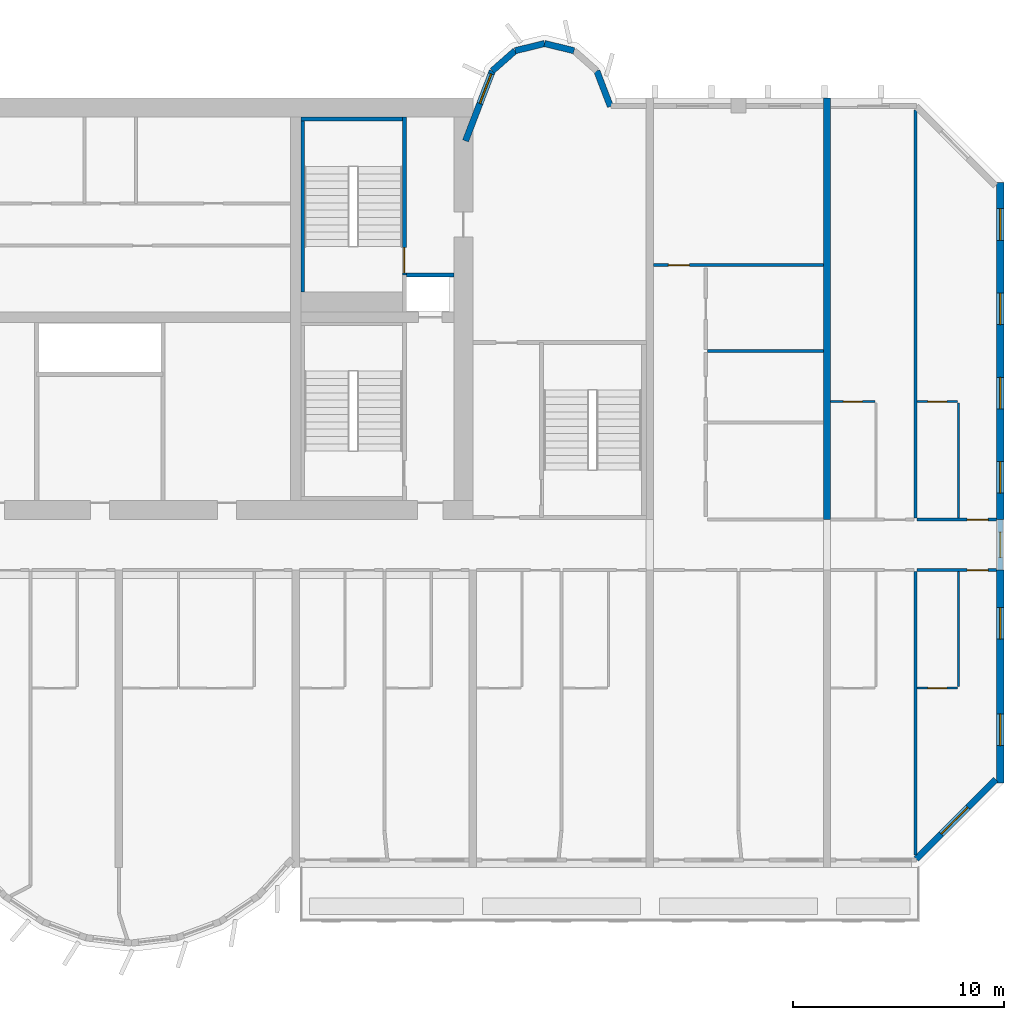
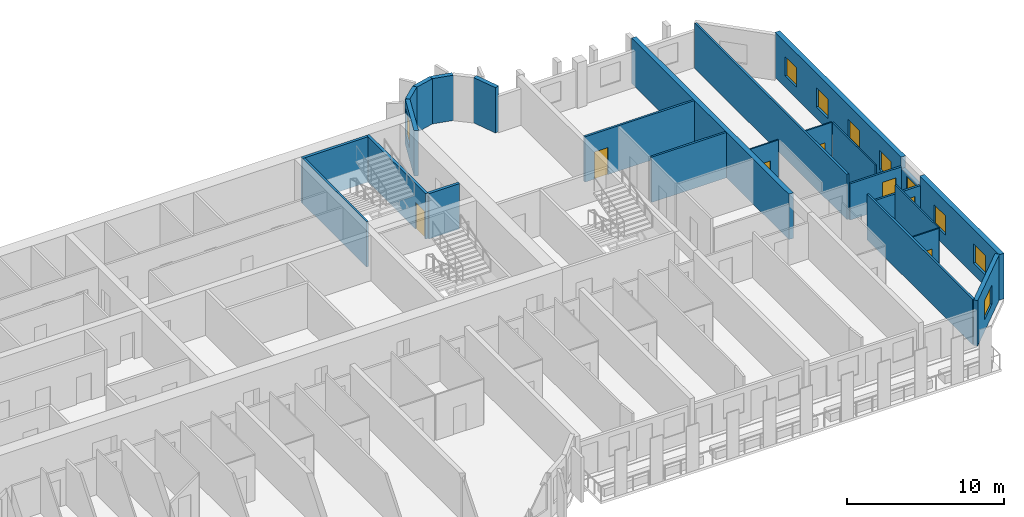
# One storey, part 10 of 14: 25 walls, 9 windows, 7 doors, 16 openings.
"""IFC4 building model written with IfcOpenShell, lengths in metres."""

import ifcopenshell
import ifcopenshell.guid

model = None  # the IFC model being written
_history = None  # IfcOwnerHistory: only IFC2X3 demands one
_inside = {}  # id of a spatial element -> (the spatial element, [elements in it])
_under = {}  # id of a project, library or spatial element -> (it, [spatial elements below it])
_declared = {}  # id of a project -> (the project, [libraries it declares])
_typed = {}  # id of a type object -> (the type object, [elements of that type])
_made_of = {}  # id of a material, layer set ... -> (it, [elements and type objects made of it])


def new_model(schema):
    """Start an empty IFC model of exactly this schema.

    Asked for "IFC4X3", IfcOpenShell would pick the latest addendum, in which some entities
    have other attributes; the version numbers below select the first issue.
    IFC2X3 requires an IfcOwnerHistory on every rooted entity: one is made here for all.
    """
    global model, _history
    if schema == "IFC4X3":
        model = ifcopenshell.file(schema_version=(4, 3, 0, 0))
    else:
        model = ifcopenshell.file(schema=schema)
    _inside.clear()
    _under.clear()
    _declared.clear()
    _typed.clear()
    _made_of.clear()
    _history = None
    if model.schema == "IFC2X3":
        org = make("IfcOrganization", Name="unknown")
        user = make(
            "IfcPersonAndOrganization",
            ThePerson=make("IfcPerson", FamilyName="unknown"),
            TheOrganization=org,
        )
        app = make(
            "IfcApplication",
            ApplicationDeveloper=org,
            Version="unknown",
            ApplicationFullName="unknown",
            ApplicationIdentifier="unknown",
        )
        _history = make(
            "IfcOwnerHistory",
            OwningUser=user,
            OwningApplication=app,
            ChangeAction="ADDED",
            CreationDate=0,
        )
    return model


def make(cls, **values):
    """One entity of the class cls with the attributes given. An attribute that is None is left unset."""
    return model.create_entity(
        cls, **{name: value for name, value in values.items() if value is not None}
    )


def rooted(cls, **values):
    """An entity with a GlobalId (a new one), such as an element, a storey or a relation."""
    return make(cls, GlobalId=ifcopenshell.guid.new(), OwnerHistory=_history, **values)


def si_unit(unit_type, name, prefix=None):
    """IfcSIUnit, for example si_unit("LENGTHUNIT", "METRE", prefix="MILLI")."""
    return make("IfcSIUnit", UnitType=unit_type, Prefix=prefix, Name=name)


def assignment(units):
    """IfcUnitAssignment: the units of a project."""
    return None if units is None else make("IfcUnitAssignment", Units=units)


def point(xyz):
    """IfcCartesianPoint."""
    return None if xyz is None else make("IfcCartesianPoint", Coordinates=xyz)


def direction(xyz):
    """IfcDirection."""
    return None if xyz is None else make("IfcDirection", DirectionRatios=xyz)


def frame(location, z_axis=None, x_axis=None):
    """IfcAxis2Placement3D, a coordinate frame: its origin and axes. An axis left out is left unset."""
    return make(
        "IfcAxis2Placement3D",
        Location=point(location),
        Axis=direction(z_axis),
        RefDirection=direction(x_axis),
    )


def frame_2d(location, x_axis=None):
    """IfcAxis2Placement2D, a coordinate frame in the plane: its origin and x axis."""
    return make(
        "IfcAxis2Placement2D", Location=point(location), RefDirection=direction(x_axis)
    )


def origin():
    """The frame at (0, 0, 0) with its axes left unset."""
    return frame((0.0, 0.0, 0.0))


def place(relative_to, where):
    """IfcLocalPlacement: puts the frame where relative to a parent placement (None: the world)."""
    return make(
        "IfcLocalPlacement", PlacementRelTo=relative_to, RelativePlacement=where
    )


def context(
    kind, dimensions, precision=None, world=None, true_north=None, identifier=None
):
    """IfcGeometricRepresentationContext, for example the 3D "Model" context."""
    return make(
        "IfcGeometricRepresentationContext",
        ContextIdentifier=identifier,
        ContextType=kind,
        CoordinateSpaceDimension=dimensions,
        Precision=precision,
        WorldCoordinateSystem=world,
        TrueNorth=true_north,
    )


def subcontext(parent, identifier, kind, view, scale=None):
    """IfcGeometricRepresentationSubContext, for example "Body" below "Model"."""
    return make(
        "IfcGeometricRepresentationSubContext",
        ContextIdentifier=identifier,
        ContextType=kind,
        ParentContext=parent,
        TargetScale=scale,
        TargetView=view,
    )


def project(units=None, contexts=None):
    """IfcProject with its units and contexts."""
    return rooted(
        "IfcProject",
        Name="project",
        RepresentationContexts=contexts,
        UnitsInContext=assignment(units),
    )


def spatial(cls, under=None, at=None, **own):
    """A site, building, storey or space (cls), placed at a placement, below another one or the project."""
    s = rooted(cls, ObjectPlacement=at, **own)
    if under is not None:
        _under.setdefault(under.id(), (under, []))[1].append(s)
    return s


def profile(cls, at=None, kind="AREA", **sizes):
    """A parametric profile (cls). Its sizes go by their IFC names, for example OverallWidth=200.0."""
    return make(cls, ProfileType=kind, Position=at, **sizes)


def rectangle(**sizes):
    """IfcRectangleProfileDef."""
    return profile("IfcRectangleProfileDef", **sizes)


def extrude(swept, where, along, depth):
    """IfcExtrudedAreaSolid: the profile swept, set in the frame where, extruded along a direction by depth."""
    return make(
        "IfcExtrudedAreaSolid",
        SweptArea=swept,
        Position=where,
        ExtrudedDirection=direction(along),
        Depth=depth,
    )


def shape(context_of_items, identifier, shape_type, items):
    """IfcShapeRepresentation: the items that make up one representation, for example the "Body"."""
    return make(
        "IfcShapeRepresentation",
        ContextOfItems=context_of_items,
        RepresentationIdentifier=identifier,
        RepresentationType=shape_type,
        Items=items,
    )


def source(mapping_origin, context_of_items, identifier, shape_type, items):
    """IfcRepresentationMap: a shape defined once, which mapped items show again and again."""
    return make(
        "IfcRepresentationMap",
        MappingOrigin=mapping_origin,
        MappedRepresentation=shape(context_of_items, identifier, shape_type, items),
    )


def transform(
    local_origin,
    x_axis=None,
    y_axis=None,
    z_axis=None,
    scale=None,
    scale2=None,
    scale3=None,
    uniform=True,
):
    """IfcCartesianTransformationOperator3D, or its non-uniform kind. x_axis, y_axis, z_axis: its Axis1, 2, 3."""
    if uniform:
        return make(
            "IfcCartesianTransformationOperator3D",
            Axis1=direction(x_axis),
            Axis2=direction(y_axis),
            LocalOrigin=point(local_origin),
            Scale=scale,
            Axis3=direction(z_axis),
        )
    return make(
        "IfcCartesianTransformationOperator3DnonUniform",
        Axis1=direction(x_axis),
        Axis2=direction(y_axis),
        LocalOrigin=point(local_origin),
        Scale=scale,
        Axis3=direction(z_axis),
        Scale2=scale2,
        Scale3=scale3,
    )


def mapped(mapping_source, mapping_target):
    """IfcMappedItem: shows the shape of a source again, moved by a transform."""
    return make(
        "IfcMappedItem", MappingSource=mapping_source, MappingTarget=mapping_target
    )


def material(Name=None, Category=None):
    """IfcMaterial."""
    return make("IfcMaterial", Name=Name, Category=Category)


def layer(
    of_material, thickness, ventilated=None, Name=None, Category=None, Priority=None
):
    """IfcMaterialLayer: one layer of a wall or slab, of a material (None: an air gap)."""
    return make(
        "IfcMaterialLayer",
        Material=of_material,
        LayerThickness=thickness,
        IsVentilated=ventilated,
        Name=Name,
        Category=Category,
        Priority=Priority,
    )


def layer_set(layers, Name=None):
    """IfcMaterialLayerSet."""
    return make("IfcMaterialLayerSet", MaterialLayers=layers, LayerSetName=Name)


def made_of(thing, what):
    """Note that an element or type object is made of a material, layer set ...; save() writes the relation."""
    if what is not None:
        _made_of.setdefault(what.id(), (what, []))[1].append(thing)
    return thing


def type_object(cls, material=None, **own):
    """A type object (cls), such as IfcWallType, which elements share."""
    return made_of(rooted(cls, **own), material)


def element(
    cls,
    number,
    at=None,
    inside=None,
    cuts=None,
    type_object=None,
    material=None,
    context=None,
    identifier="Body",
    shape_type=None,
    held_by="IfcProductDefinitionShape",
    body=None,
    shapes=None,
    **own,
):
    """One element of the class cls, such as IfcWall. Its Tag is "e" and its number.

    at: its placement. inside: the storey or other place that contains it. cuts: it is an
    opening in that element (IfcRelVoidsElement). A single representation is given by context,
    identifier, shape_type and body (its items); several are given by shapes. held_by: the class
    of the entity that holds the representations. save() writes the other relations.
    """
    e = rooted(cls, Tag="e%d" % number, ObjectPlacement=at, **own)
    if body is not None:
        shapes = [shape(context, identifier, shape_type, body)]
    if shapes is not None:
        e.Representation = make(held_by, Representations=shapes)
    if inside is not None:
        _inside.setdefault(inside.id(), (inside, []))[1].append(e)
    if cuts is not None:
        rooted(
            "IfcRelVoidsElement", RelatingBuildingElement=cuts, RelatedOpeningElement=e
        )
    if type_object is not None:
        _typed.setdefault(type_object.id(), (type_object, []))[1].append(e)
    return made_of(e, material)


def fill(opening, filler):
    """IfcRelFillsElement: the door or window that sits in an opening."""
    return rooted(
        "IfcRelFillsElement",
        RelatingOpeningElement=opening,
        RelatedBuildingElement=filler,
    )


def aggregate(whole, parts):
    """IfcRelAggregates: a whole, such as a stair, and the parts it consists of."""
    return rooted("IfcRelAggregates", RelatingObject=whole, RelatedObjects=parts)


def save(model, path):
    """Write the relations noted so far, then the file.

    IfcRelAggregates (storeys below a building ...), IfcRelContainedInSpatialStructure (elements
    in a storey), IfcRelDefinesByType, IfcRelAssociatesMaterial and IfcRelDeclares: one each for
    every whole, place, type object, material and project.
    """
    for whole, parts in _under.values():
        aggregate(whole, parts)
    for where, things in _inside.values():
        rooted(
            "IfcRelContainedInSpatialStructure",
            RelatedElements=things,
            RelatingStructure=where,
        )
    for kind, things in _typed.values():
        rooted("IfcRelDefinesByType", RelatedObjects=things, RelatingType=kind)
    for what, things in _made_of.values():
        rooted("IfcRelAssociatesMaterial", RelatedObjects=things, RelatingMaterial=what)
    for by, libraries in _declared.values():
        rooted("IfcRelDeclares", RelatingContext=by, RelatedDefinitions=libraries)
    model.write(path)


model = new_model("IFC4")

# Units and contexts
model_context = context("Model", 3, precision=1e-05, world=origin(), true_north=direction((0.0, 1.0)))
body_context = subcontext(model_context, "Body", "Model", "MODEL_VIEW")
ifc_project = project(units=[si_unit("LENGTHUNIT", "METRE"), si_unit("AREAUNIT", "SQUARE_METRE"), si_unit("VOLUMEUNIT", "CUBIC_METRE"), si_unit("PLANEANGLEUNIT", "RADIAN"), si_unit("MASSUNIT", "GRAM", prefix="KILO")], contexts=[model_context])

# Site, building, storey
site_placement = place(None, origin())
site = spatial("IfcSite", under=ifc_project, at=site_placement, CompositionType="ELEMENT")
building_placement = place(site_placement, origin())
building = spatial("IfcBuilding", under=site, at=building_placement, Name="Vanashikhar Sky Hotel", CompositionType="ELEMENT")
storey_placement = place(building_placement, frame((0.0, 0.0, 99.0)))
storey = spatial("IfcBuildingStorey", under=building, at=storey_placement, Name="L23", CompositionType="ELEMENT", Elevation=99.0)

# Wall, openings, windows
ifc_material_1 = material(Name="Concrete M70", Category="concrete")
ifc_layer_1 = layer(ifc_material_1, 0.35009765625)
ifc_layer_set_1 = layer_set([ifc_layer_1], Name="RC shear wall 350 Concrete M70")
wall_type_1 = type_object("IfcWallType", Name="RC shear wall 350 Concrete M70", PredefinedType="SHEAR", material=ifc_layer_set_1)
shared_shape_1 = source(origin(), body_context, "Body", "SweptSolid", [
    extrude(rectangle(XDim=10.10009765625, YDim=0.35009765625, at=frame_2d((5.050048828125, 0.0))), origin(), (0.0, 0.0, 1.0), 3.52001953125),
])
wall_1_placement = place(storey_placement, frame((100.625, 9.5, 0.0), z_axis=(0.0, 0.0, 1.0), x_axis=(0.0, 1.0, 0.0)))
wall_1 = element("IfcWall", 1, at=wall_1_placement, inside=storey, type_object=wall_type_1, Name="CW-L23-XW13-1", PredefinedType="SHEAR", context=body_context, shape_type="MappedRepresentation", body=[
    mapped(shared_shape_1, transform((0.0, 0.0, 0.0), scale=1.0)),
])
shared_shape_2 = source(origin(), body_context, "Body", "SweptSolid", [
    extrude(rectangle(XDim=1.5, YDim=1.5, at=frame_2d((0.75, 0.75))), frame((0.0, 0.18505859375, 0.0), z_axis=(0.0, -1.0, 0.0), x_axis=(1.0, 0.0, 0.0)), (0.0, 0.0, 1.0), 0.3701171875),
])
opening_1_placement = place(wall_1_placement, frame((1.77490234375, 0.0, 0.89990234375)))
opening_1 = element("IfcOpeningElement", 2, at=opening_1_placement, cuts=wall_1, Name="Opening WN-1", PredefinedType="OPENING", context=body_context, shape_type="MappedRepresentation", body=[
    mapped(shared_shape_2, transform((0.0, 0.0, 0.0), scale=1.0)),
])
opening_2_placement = place(wall_1_placement, frame((6.824951171875, 0.0, 0.89990234375)))
opening_2 = element("IfcOpeningElement", 3, at=opening_2_placement, cuts=wall_1, Name="Opening WN-1", PredefinedType="OPENING", context=body_context, shape_type="MappedRepresentation", body=[
    mapped(shared_shape_2, transform((0.0, 0.0, 0.0), scale=1.0)),
])
ifc_material_2 = material(Name="Glass", Category="glass")
window_type_1 = type_object("IfcWindowType", Name="Window 1500 x 1500", PartitioningType="SINGLE_PANEL", PredefinedType="WINDOW", material=ifc_material_2)
shared_shape_3 = source(origin(), body_context, "Body", "SweptSolid", [
    extrude(rectangle(XDim=1.5, YDim=1.5, at=frame_2d((0.75, 0.75))), frame((0.0, 0.030029296875, 0.0), z_axis=(0.0, -1.0, 0.0), x_axis=(1.0, 0.0, 0.0)), (0.0, 0.0, 1.0), 0.06005859375),
])
window_1_placement = place(opening_1_placement, origin())
window_1 = element("IfcWindow", 4, at=window_1_placement, inside=storey, type_object=window_type_1, Name="Window WN-1", OverallHeight=1.5, OverallWidth=1.5, PartitioningType="SINGLE_PANEL", PredefinedType="WINDOW", context=body_context, shape_type="MappedRepresentation", body=[
    mapped(shared_shape_3, transform((0.0, 0.0, 0.0), scale=1.0)),
])
fill(opening_1, window_1)
window_2_placement = place(opening_2_placement, origin())
window_2 = element("IfcWindow", 5, at=window_2_placement, inside=storey, type_object=window_type_1, Name="Window WN-1", OverallHeight=1.5, OverallWidth=1.5, PartitioningType="SINGLE_PANEL", PredefinedType="WINDOW", context=body_context, shape_type="MappedRepresentation", body=[
    mapped(shared_shape_3, transform((0.0, 0.0, 0.0), scale=1.0)),
])
fill(opening_2, window_2)

shared_shape_4 = source(origin(), body_context, "Body", "SweptSolid", [
    extrude(rectangle(XDim=16.0, YDim=0.35009765625, at=frame_2d((8.0, 0.0))), origin(), (0.0, 0.0, 1.0), 3.52001953125),
])
wall_2_placement = place(storey_placement, frame((100.625, 22.0, 0.0), z_axis=(0.0, 0.0, 1.0), x_axis=(0.0, 1.0, 0.0)))
wall_2 = element("IfcWall", 6, at=wall_2_placement, inside=storey, type_object=wall_type_1, Name="CW-L23-XW13-2", PredefinedType="SHEAR", context=body_context, shape_type="MappedRepresentation", body=[
    mapped(shared_shape_4, transform((0.0, 0.0, 0.0), scale=1.0)),
])
opening_3_placement = place(wall_2_placement, frame((1.25, 0.0, 0.89990234375)))
opening_3 = element("IfcOpeningElement", 7, at=opening_3_placement, cuts=wall_2, Name="Opening WN-1", PredefinedType="OPENING", context=body_context, shape_type="MappedRepresentation", body=[
    mapped(shared_shape_2, transform((0.0, 0.0, 0.0), scale=1.0)),
])
opening_4_placement = place(wall_2_placement, frame((5.25, 0.0, 0.89990234375)))
opening_4 = element("IfcOpeningElement", 8, at=opening_4_placement, cuts=wall_2, Name="Opening WN-1", PredefinedType="OPENING", context=body_context, shape_type="MappedRepresentation", body=[
    mapped(shared_shape_2, transform((0.0, 0.0, 0.0), scale=1.0)),
])
opening_5_placement = place(wall_2_placement, frame((9.25, 0.0, 0.89990234375)))
opening_5 = element("IfcOpeningElement", 9, at=opening_5_placement, cuts=wall_2, Name="Opening WN-1", PredefinedType="OPENING", context=body_context, shape_type="MappedRepresentation", body=[
    mapped(shared_shape_2, transform((0.0, 0.0, 0.0), scale=1.0)),
])
opening_6_placement = place(wall_2_placement, frame((13.25, 0.0, 0.89990234375)))
opening_6 = element("IfcOpeningElement", 10, at=opening_6_placement, cuts=wall_2, Name="Opening WN-1", PredefinedType="OPENING", context=body_context, shape_type="MappedRepresentation", body=[
    mapped(shared_shape_2, transform((0.0, 0.0, 0.0), scale=1.0)),
])
window_3_placement = place(opening_3_placement, origin())
window_3 = element("IfcWindow", 11, at=window_3_placement, inside=storey, type_object=window_type_1, Name="Window WN-1", OverallHeight=1.5, OverallWidth=1.5, PartitioningType="SINGLE_PANEL", PredefinedType="WINDOW", context=body_context, shape_type="MappedRepresentation", body=[
    mapped(shared_shape_3, transform((0.0, 0.0, 0.0), scale=1.0)),
])
fill(opening_3, window_3)
window_4_placement = place(opening_4_placement, origin())
window_4 = element("IfcWindow", 12, at=window_4_placement, inside=storey, type_object=window_type_1, Name="Window WN-1", OverallHeight=1.5, OverallWidth=1.5, PartitioningType="SINGLE_PANEL", PredefinedType="WINDOW", context=body_context, shape_type="MappedRepresentation", body=[
    mapped(shared_shape_3, transform((0.0, 0.0, 0.0), scale=1.0)),
])
fill(opening_4, window_4)
window_5_placement = place(opening_5_placement, origin())
window_5 = element("IfcWindow", 13, at=window_5_placement, inside=storey, type_object=window_type_1, Name="Window WN-1", OverallHeight=1.5, OverallWidth=1.5, PartitioningType="SINGLE_PANEL", PredefinedType="WINDOW", context=body_context, shape_type="MappedRepresentation", body=[
    mapped(shared_shape_3, transform((0.0, 0.0, 0.0), scale=1.0)),
])
fill(opening_5, window_5)
window_6_placement = place(opening_6_placement, origin())
window_6 = element("IfcWindow", 14, at=window_6_placement, inside=storey, type_object=window_type_1, Name="Window WN-1", OverallHeight=1.5, OverallWidth=1.5, PartitioningType="SINGLE_PANEL", PredefinedType="WINDOW", context=body_context, shape_type="MappedRepresentation", body=[
    mapped(shared_shape_3, transform((0.0, 0.0, 0.0), scale=1.0)),
])
fill(opening_6, window_6)

# Wall
shared_shape_5 = source(origin(), body_context, "Body", "SweptSolid", [
    extrude(rectangle(XDim=20.0, YDim=0.35009765625, at=frame_2d((10.0, 0.0))), origin(), (0.0, 0.0, 1.0), 3.52001953125),
])
wall_3_placement = place(storey_placement, frame((92.39990234375, 22.0, 0.0), z_axis=(0.0, 0.0, 1.0), x_axis=(0.0, 1.0, 0.0)))
element("IfcWall", 15, at=wall_3_placement, inside=storey, type_object=wall_type_1, Name="CW-L23-XW12-2", PredefinedType="SHEAR", context=body_context, shape_type="MappedRepresentation", body=[
    mapped(shared_shape_5, transform((0.0, 0.0, 0.0), scale=1.0)),
])

# Wall, opening, window
ifc_material_3 = material(Name="Concrete M50", Category="concrete")
ifc_layer_2 = layer(ifc_material_3, 0.300048828125)
ifc_layer_set_2 = layer_set([ifc_layer_2], Name="Lobe wall 300")
wall_type_2 = type_object("IfcWallType", Name="Lobe wall 300", PredefinedType="SOLIDWALL", material=ifc_layer_set_2)
shared_shape_6 = source(origin(), body_context, "Body", "SweptSolid", [
    extrude(rectangle(XDim=5.32568359375, YDim=0.300048828125, at=frame_2d((2.662841796875, 0.0))), origin(), (0.0, 0.0, 1.0), 3.52001953125),
])
wall_4_placement = place(storey_placement, frame((96.63427734375, 5.89990234375, 0.0), z_axis=(0.0, 0.0, 1.0), x_axis=(0.707083859269, 0.707129702361, 0.0)))
wall_4 = element("IfcWall", 16, at=wall_4_placement, inside=storey, type_object=wall_type_2, Name="Corner wall", PredefinedType="SOLIDWALL", context=body_context, shape_type="MappedRepresentation", body=[
    mapped(shared_shape_6, transform((0.0, 0.0, 0.0), scale=1.0)),
])
shared_shape_7 = source(origin(), body_context, "Body", "SweptSolid", [
    extrude(rectangle(XDim=1.800048828125, YDim=1.5, at=frame_2d((0.89990234375, 0.75))), frame((0.0, 0.16015625, 0.0), z_axis=(0.0, -1.0, 0.0), x_axis=(1.0, 0.0, 0.0)), (0.0, 0.0, 1.0), 0.320068359375),
])
opening_7_placement = place(wall_4_placement, frame((1.671875, 0.0, 0.89990234375)))
opening_7 = element("IfcOpeningElement", 17, at=opening_7_placement, cuts=wall_4, Name="Opening WN-4", PredefinedType="OPENING", context=body_context, shape_type="MappedRepresentation", body=[
    mapped(shared_shape_7, transform((0.0, 0.0, 0.0), scale=1.0)),
])
window_type_2 = type_object("IfcWindowType", Name="Corner window 1800 x 1500", PartitioningType="SINGLE_PANEL", PredefinedType="WINDOW", material=ifc_material_2)
shared_shape_8 = source(origin(), body_context, "Body", "SweptSolid", [
    extrude(rectangle(XDim=1.800048828125, YDim=1.5, at=frame_2d((0.89990234375, 0.75))), frame((0.0, 0.030029296875, 0.0), z_axis=(0.0, -1.0, 0.0), x_axis=(1.0, 0.0, 0.0)), (0.0, 0.0, 1.0), 0.06005859375),
])
window_7_placement = place(opening_7_placement, origin())
window_7 = element("IfcWindow", 18, at=window_7_placement, inside=storey, type_object=window_type_2, Name="Window WN-4", OverallHeight=1.5, OverallWidth=1.800048828125, PartitioningType="SINGLE_PANEL", PredefinedType="WINDOW", context=body_context, shape_type="MappedRepresentation", body=[
    mapped(shared_shape_8, transform((0.0, 0.0, 0.0), scale=1.0)),
])
fill(opening_7, window_7)

shared_shape_9 = source(origin(), body_context, "Body", "SweptSolid", [
    extrude(rectangle(XDim=3.55908203125, YDim=0.300048828125, at=frame_2d((1.779541015625, 0.0))), origin(), (0.0, 0.0, 1.0), 3.52001953125),
])
wall_5_placement = place(storey_placement, frame((76.5234375, 43.2919921875, 0.0), z_axis=(0.0, 0.0, 1.0), x_axis=(-0.35779745313, -0.933799219604, 0.0)))
wall_5 = element("IfcWall", 19, at=wall_5_placement, inside=storey, type_object=wall_type_2, Name="Lobe wall", PredefinedType="SOLIDWALL", context=body_context, shape_type="MappedRepresentation", body=[
    mapped(shared_shape_9, transform((0.0, 0.0, 0.0), scale=1.0)),
])
shared_shape_10 = source(origin(), body_context, "Body", "SweptSolid", [
    extrude(rectangle(XDim=1.5, YDim=2.0, at=frame_2d((0.75, 1.0))), frame((0.0, 0.16015625, 0.0), z_axis=(0.0, -1.0, 0.0), x_axis=(1.0, 0.0, 0.0)), (0.0, 0.0, 1.0), 0.320068359375),
])
opening_8_placement = place(wall_5_placement, frame((0.156005859375, 0.0, 0.89990234375)))
opening_8 = element("IfcOpeningElement", 20, at=opening_8_placement, cuts=wall_5, Name="Opening WN-2", PredefinedType="OPENING", context=body_context, shape_type="MappedRepresentation", body=[
    mapped(shared_shape_10, transform((0.0, 0.0, 0.0), scale=1.0)),
])
window_type_3 = type_object("IfcWindowType", Name="Lobe window 1500 x 2000", PartitioningType="SINGLE_PANEL", PredefinedType="WINDOW", material=ifc_material_2)
shared_shape_11 = source(origin(), body_context, "Body", "SweptSolid", [
    extrude(rectangle(XDim=1.5, YDim=2.0, at=frame_2d((0.75, 1.0))), frame((0.0, 0.030029296875, 0.0), z_axis=(0.0, -1.0, 0.0), x_axis=(1.0, 0.0, 0.0)), (0.0, 0.0, 1.0), 0.06005859375),
])
window_8_placement = place(opening_8_placement, origin())
window_8 = element("IfcWindow", 21, at=window_8_placement, inside=storey, type_object=window_type_3, Name="Window WN-2", OverallHeight=2.0, OverallWidth=1.5, PartitioningType="SINGLE_PANEL", PredefinedType="WINDOW", context=body_context, shape_type="MappedRepresentation", body=[
    mapped(shared_shape_11, transform((0.0, 0.0, 0.0), scale=1.0)),
])
fill(opening_8, window_8)

# Walls
shared_shape_12 = source(origin(), body_context, "Body", "SweptSolid", [
    extrude(rectangle(XDim=1.438720703125, YDim=0.300048828125, at=frame_2d((0.71923828125, 0.0))), origin(), (0.0, 0.0, 1.0), 3.52001953125),
])
for number, where, z_axis, x_axis, name in (
    (22, (80.397216796875, 44.2451171875, 0.0), (0.0, 0.0, 1.0), (-0.971161932466, 0.238420848351, 0.0), "Lobe wall"),
    (23, (79.0, 44.588134765625, 0.0), (0.0, 0.0, 1.0), (-0.971161932466, -0.238420848351, 0.0), "Lobe wall"),
):
    element("IfcWall", number, at=place(storey_placement, frame(where, z_axis=z_axis, x_axis=x_axis)), inside=storey, type_object=wall_type_2, Name=name, PredefinedType="SOLIDWALL", context=body_context, shape_type="MappedRepresentation", body=[
        mapped(shared_shape_12, transform((0.0, 0.0, 0.0), scale=1.0)),
    ])
shared_shape_13 = source(origin(), body_context, "Body", "SweptSolid", [
    extrude(rectangle(XDim=1.43994140625, YDim=0.300048828125, at=frame_2d((0.719970703125, 0.0))), origin(), (0.0, 0.0, 1.0), 3.52001953125),
])
wall_6_placement = place(storey_placement, frame((77.602783203125, 44.2451171875, 0.0), z_axis=(0.0, 0.0, 1.0), x_axis=(-0.74957555648, -0.661918790432, 0.0)))
element("IfcWall", 24, at=wall_6_placement, inside=storey, type_object=wall_type_2, Name="Lobe wall", PredefinedType="SOLIDWALL", context=body_context, shape_type="MappedRepresentation", body=[
    mapped(shared_shape_13, transform((0.0, 0.0, 0.0), scale=1.0)),
])
shared_shape_14 = source(origin(), body_context, "Body", "SweptSolid", [
    extrude(rectangle(XDim=1.81201171875, YDim=0.300048828125, at=frame_2d((0.906005859375, 0.0))), origin(), (0.0, 0.0, 1.0), 3.52001953125),
])
wall_7_placement = place(storey_placement, frame((82.125, 41.60009765625, 0.0), z_axis=(0.0, 0.0, 1.0), x_axis=(-0.357877270961, 0.93376863244, 0.0)))
element("IfcWall", 25, at=wall_7_placement, inside=storey, type_object=wall_type_2, Name="Lobe wall", PredefinedType="SOLIDWALL", context=body_context, shape_type="MappedRepresentation", body=[
    mapped(shared_shape_14, transform((0.0, 0.0, 0.0), scale=1.0)),
])

# Wall, opening, window
ifc_layer_3 = layer(ifc_material_3, 0.25)
ifc_layer_set_3 = layer_set([ifc_layer_3], Name="Rear and end board-marked wall 250")
wall_type_3 = type_object("IfcWallType", Name="Rear and end board-marked wall 250", PredefinedType="SOLIDWALL", material=ifc_layer_set_3)
shared_shape_15 = source(origin(), body_context, "Body", "SweptSolid", [
    extrude(rectangle(XDim=2.39990234375, YDim=0.25, at=frame_2d((1.199951171875, 0.0))), origin(), (0.0, 0.0, 1.0), 2.6201171875),
])
wall_8_placement = place(storey_placement, frame((100.625, 19.60009765625, 0.0), z_axis=(0.0, 0.0, 1.0), x_axis=(0.0, 1.0, 0.0)))
wall_8 = element("IfcWall", 26, at=wall_8_placement, inside=storey, type_object=wall_type_3, Name="End corridor infill wall", PredefinedType="SOLIDWALL", context=body_context, shape_type="MappedRepresentation", body=[
    mapped(shared_shape_15, transform((0.0, 0.0, 0.0), scale=1.0)),
])
shared_shape_16 = source(origin(), body_context, "Body", "SweptSolid", [
    extrude(rectangle(XDim=1.199951171875, YDim=1.5, at=frame_2d((0.60009765625, 0.75))), frame((0.0, 0.135009765625, 0.0), z_axis=(0.0, -1.0, 0.0), x_axis=(1.0, 0.0, 0.0)), (0.0, 0.0, 1.0), 0.27001953125),
])
opening_9_placement = place(wall_8_placement, frame((0.60009765625, 0.0, 0.89990234375)))
opening_9 = element("IfcOpeningElement", 27, at=opening_9_placement, cuts=wall_8, Name="Opening WN-3", PredefinedType="OPENING", context=body_context, shape_type="MappedRepresentation", body=[
    mapped(shared_shape_16, transform((0.0, 0.0, 0.0), scale=1.0)),
])
window_type_4 = type_object("IfcWindowType", Name="Corridor end window 1200 x 1500", PartitioningType="SINGLE_PANEL", PredefinedType="WINDOW", material=ifc_material_2)
shared_shape_17 = source(origin(), body_context, "Body", "SweptSolid", [
    extrude(rectangle(XDim=1.199951171875, YDim=1.5, at=frame_2d((0.60009765625, 0.75))), frame((0.0, 0.030029296875, 0.0), z_axis=(0.0, -1.0, 0.0), x_axis=(1.0, 0.0, 0.0)), (0.0, 0.0, 1.0), 0.06005859375),
])
window_9_placement = place(opening_9_placement, origin())
window_9 = element("IfcWindow", 28, at=window_9_placement, inside=storey, type_object=window_type_4, Name="Window WN-3", OverallHeight=1.5, OverallWidth=1.199951171875, PartitioningType="SINGLE_PANEL", PredefinedType="WINDOW", context=body_context, shape_type="MappedRepresentation", body=[
    mapped(shared_shape_17, transform((0.0, 0.0, 0.0), scale=1.0)),
])
fill(opening_9, window_9)

# Wall, opening, door
ifc_layer_4 = layer(ifc_material_3, 0.199951171875)
ifc_layer_set_4 = layer_set([ifc_layer_4], Name="Stair wall 200")
wall_type_4 = type_object("IfcWallType", Name="Stair wall 200", PredefinedType="SOLIDWALL", material=ifc_layer_set_4)
shared_shape_18 = source(origin(), body_context, "Body", "SweptSolid", [
    extrude(rectangle(XDim=7.5, YDim=0.199951171875, at=frame_2d((3.75, 0.0))), origin(), (0.0, 0.0, 1.0), 3.52001953125),
])
wall_9_placement = place(storey_placement, frame((72.35009765625, 33.60009765625, 0.0), z_axis=(0.0, 0.0, 1.0), x_axis=(0.0, 1.0, 0.0)))
wall_9 = element("IfcWall", 29, at=wall_9_placement, inside=storey, type_object=wall_type_4, Name="Stair wall 200", PredefinedType="SOLIDWALL", context=body_context, shape_type="MappedRepresentation", body=[
    mapped(shared_shape_18, transform((0.0, 0.0, 0.0), scale=1.0)),
])
shared_shape_19 = source(origin(), body_context, "Body", "SweptSolid", [
    extrude(rectangle(XDim=1.199951171875, YDim=2.10009765625, at=frame_2d((0.60009765625, 1.050048828125))), frame((0.0, 0.10986328125, 0.0), z_axis=(0.0, -1.0, 0.0), x_axis=(1.0, 0.0, 0.0)), (0.0, 0.0, 1.0), 0.219970703125),
])
opening_10_placement = place(wall_9_placement, frame((0.10009765625, 0.0, 0.0)))
opening_10 = element("IfcOpeningElement", 30, at=opening_10_placement, cuts=wall_9, Name="Opening DC-1", PredefinedType="OPENING", context=body_context, shape_type="MappedRepresentation", body=[
    mapped(shared_shape_19, transform((0.0, 0.0, 0.0), scale=1.0)),
])
ifc_material_4 = material(Name="Steel", Category="steel")
door_type_1 = type_object("IfcDoorType", Name="Stair door 1200 FD120", OperationType="NOTDEFINED", PredefinedType="DOOR", material=ifc_material_4)
shared_shape_20 = source(origin(), body_context, "Body", "SweptSolid", [
    extrude(rectangle(XDim=1.199951171875, YDim=2.10009765625, at=frame_2d((0.60009765625, 1.050048828125))), frame((0.0, 0.02490234375, 0.0), z_axis=(0.0, -1.0, 0.0), x_axis=(1.0, 0.0, 0.0)), (0.0, 0.0, 1.0), 0.050048828125),
])
door_1_placement = place(opening_10_placement, origin())
door_1 = element("IfcDoor", 31, at=door_1_placement, inside=storey, type_object=door_type_1, Name="Stair door 1200 FD120", OperationType="SINGLE_SWING_RIGHT", OverallHeight=2.10009765625, OverallWidth=1.199951171875, PredefinedType="DOOR", context=body_context, shape_type="MappedRepresentation", body=[
    mapped(shared_shape_20, transform((0.0, 0.0, 0.0), scale=1.0)),
])
fill(opening_10, door_1)

# Walls
ifc_material_5 = material(Name="Concrete M40", Category="concrete")
ifc_layer_5 = layer(ifc_material_5, 0.199951171875)
ifc_layer_set_5 = layer_set([ifc_layer_5], Name="Shaft wall 200")
wall_type_5 = type_object("IfcWallType", Name="Shaft wall 200", PredefinedType="SOLIDWALL", material=ifc_layer_set_5)
shared_shape_21 = source(origin(), body_context, "Body", "SweptSolid", [
    extrude(rectangle(XDim=2.25, YDim=0.199951171875, at=frame_2d((1.125, 0.0))), origin(), (0.0, 0.0, 1.0), 3.52001953125),
])
wall_10_placement = place(storey_placement, frame((72.449951171875, 33.60009765625, 0.0), z_axis=(0.0, 0.0, 1.0), x_axis=(1.0, 0.0, 0.0)))
element("IfcWall", 32, at=wall_10_placement, inside=storey, type_object=wall_type_5, Name="Shaft wall 200", PredefinedType="SOLIDWALL", context=body_context, shape_type="MappedRepresentation", body=[
    mapped(shared_shape_21, transform((0.0, 0.0, 0.0), scale=1.0)),
])
ifc_layer_6 = layer(ifc_material_3, 0.199951171875)
ifc_layer_set_6 = layer_set([ifc_layer_6], Name="Stair infill wall 200")
wall_type_6 = type_object("IfcWallType", Name="Stair infill wall 200", PredefinedType="SOLIDWALL", material=ifc_layer_set_6)
shared_shape_22 = source(origin(), body_context, "Body", "SweptSolid", [
    extrude(rectangle(XDim=4.800048828125, YDim=0.199951171875, at=frame_2d((2.39990234375, 0.0))), origin(), (0.0, 0.0, 1.0), 3.52001953125),
])
wall_11_placement = place(storey_placement, frame((67.449951171875, 41.0, 0.0), z_axis=(0.0, 0.0, 1.0), x_axis=(1.0, 0.0, 0.0)))
element("IfcWall", 33, at=wall_11_placement, inside=storey, type_object=wall_type_6, Name="Stair infill wall 200", PredefinedType="SOLIDWALL", context=body_context, shape_type="MappedRepresentation", body=[
    mapped(shared_shape_22, transform((0.0, 0.0, 0.0), scale=1.0)),
])
ifc_layer_7 = layer(ifc_material_3, 0.14990234375)
ifc_layer_set_7 = layer_set([ifc_layer_7], Name="Stair infill wall 150")
wall_type_7 = type_object("IfcWallType", Name="Stair infill wall 150", PredefinedType="SOLIDWALL", material=ifc_layer_set_7)
shared_shape_23 = source(origin(), body_context, "Body", "SweptSolid", [
    extrude(rectangle(XDim=8.099853515625, YDim=0.14990234375, at=frame_2d((4.0498046875, 0.0))), origin(), (0.0, 0.0, 1.0), 3.52001953125),
])
wall_12_placement = place(storey_placement, frame((67.52490234375, 32.800048828125, 0.0), z_axis=(0.0, 0.0, 1.0), x_axis=(0.0, 1.0, 0.0)))
element("IfcWall", 34, at=wall_12_placement, inside=storey, type_object=wall_type_7, Name="Stair infill wall 150", PredefinedType="SOLIDWALL", context=body_context, shape_type="MappedRepresentation", body=[
    mapped(shared_shape_23, transform((0.0, 0.0, 0.0), scale=1.0)),
])
ifc_material_6 = material(Name="Gypsum plasterboard partition")
ifc_layer_8 = layer(ifc_material_6, 0.14990234375)
ifc_layer_set_8 = layer_set([ifc_layer_8], Name="Corridor and demising partition 150")
wall_type_8 = type_object("IfcWallType", Name="Corridor and demising partition 150", PredefinedType="PARTITIONING", material=ifc_layer_set_8)
shared_shape_24 = source(origin(), body_context, "Body", "SweptSolid", [
    extrude(rectangle(XDim=19.34716796875, YDim=0.14990234375, at=frame_2d((9.673583984375, 0.0))), origin(), (0.0, 0.0, 1.0), 3.52001953125),
])
wall_13_placement = place(storey_placement, frame((96.60009765625, 22.074951171875, 0.0), z_axis=(0.0, 0.0, 1.0), x_axis=(0.0, 1.0, 0.0)))
element("IfcWall", 35, at=wall_13_placement, inside=storey, type_object=wall_type_8, Name="W-L23-PW100", PredefinedType="PARTITIONING", context=body_context, shape_type="MappedRepresentation", body=[
    mapped(shared_shape_24, transform((0.0, 0.0, 0.0), scale=1.0)),
])
ifc_layer_9 = layer(ifc_material_6, 0.10009765625)
ifc_layer_set_9 = layer_set([ifc_layer_9], Name="Wet room partition 100")
wall_type_9 = type_object("IfcWallType", Name="Wet room partition 100", PredefinedType="PARTITIONING", material=ifc_layer_set_9)
shared_shape_25 = source(origin(), body_context, "Body", "SweptSolid", [
    extrude(rectangle(XDim=5.449951171875, YDim=0.10009765625, at=frame_2d((2.72509765625, 0.0))), origin(), (0.0, 0.0, 1.0), 3.52001953125),
])
for number, where, z_axis, x_axis, name in (
    (36, (98.64990234375, 14.074951171875, 0.0), (0.0, 0.0, 1.0), (0.0, 1.0, 0.0), "W-L23-PW067"),
    (37, (98.64990234375, 22.074951171875, 0.0), (0.0, 0.0, 1.0), (0.0, 1.0, 0.0), "W-L23-PW097"),
):
    element("IfcWall", number, at=place(storey_placement, frame(where, z_axis=z_axis, x_axis=x_axis)), inside=storey, type_object=wall_type_9, Name=name, PredefinedType="PARTITIONING", context=body_context, shape_type="MappedRepresentation", body=[
        mapped(shared_shape_25, transform((0.0, 0.0, 0.0), scale=1.0)),
    ])

# Wall, opening, door
shared_shape_26 = source(origin(), body_context, "Body", "SweptSolid", [
    extrude(rectangle(XDim=1.925048828125, YDim=0.10009765625, at=frame_2d((0.96240234375, 0.0))), origin(), (0.0, 0.0, 1.0), 3.52001953125),
])
wall_14_placement = place(storey_placement, frame((96.675048828125, 14.0, 0.0), z_axis=(0.0, 0.0, 1.0), x_axis=(1.0, 0.0, 0.0)))
wall_14 = element("IfcWall", 38, at=wall_14_placement, inside=storey, type_object=wall_type_9, Name="W-L23-PW068", PredefinedType="PARTITIONING", context=body_context, shape_type="MappedRepresentation", body=[
    mapped(shared_shape_26, transform((0.0, 0.0, 0.0), scale=1.0)),
])
shared_shape_27 = source(origin(), body_context, "Body", "SweptSolid", [
    extrude(rectangle(XDim=0.89990234375, YDim=2.10009765625, at=frame_2d((0.449951171875, 1.050048828125))), frame((0.0, 0.06005859375, 0.0), z_axis=(0.0, -1.0, 0.0), x_axis=(1.0, 0.0, 0.0)), (0.0, 0.0, 1.0), 0.1201171875),
])
opening_11_placement = place(wall_14_placement, frame((0.512939453125, 0.0, 0.0)))
opening_11 = element("IfcOpeningElement", 39, at=opening_11_placement, cuts=wall_14, Name="Opening D-02", PredefinedType="OPENING", context=body_context, shape_type="MappedRepresentation", body=[
    mapped(shared_shape_27, transform((0.0, 0.0, 0.0), scale=1.0)),
])
ifc_material_7 = material(Name="Timber door", Category="wood")
door_type_2 = type_object("IfcDoorType", Name="Internal door 900", OperationType="NOTDEFINED", PredefinedType="DOOR", material=ifc_material_7)
shared_shape_28 = source(origin(), body_context, "Body", "SweptSolid", [
    extrude(rectangle(XDim=0.89990234375, YDim=2.10009765625, at=frame_2d((0.449951171875, 1.050048828125))), frame((0.0, 0.02490234375, 0.0), z_axis=(0.0, -1.0, 0.0), x_axis=(1.0, 0.0, 0.0)), (0.0, 0.0, 1.0), 0.050048828125),
])
door_2_placement = place(opening_11_placement, origin())
door_2 = element("IfcDoor", 40, at=door_2_placement, inside=storey, type_object=door_type_2, Name="D-L23-040", OperationType="SINGLE_SWING_RIGHT", OverallHeight=2.10009765625, OverallWidth=0.89990234375, PredefinedType="DOOR", context=body_context, shape_type="MappedRepresentation", body=[
    mapped(shared_shape_28, transform((0.0, 0.0, 0.0), scale=1.0)),
])
fill(opening_11, door_2)

wall_15_placement = place(storey_placement, frame((96.675048828125, 27.60009765625, 0.0), z_axis=(0.0, 0.0, 1.0), x_axis=(1.0, 0.0, 0.0)))
wall_15 = element("IfcWall", 41, at=wall_15_placement, inside=storey, type_object=wall_type_9, Name="W-L23-PW098", PredefinedType="PARTITIONING", context=body_context, shape_type="MappedRepresentation", body=[
    mapped(shared_shape_26, transform((0.0, 0.0, 0.0), scale=1.0)),
])
opening_12_placement = place(wall_15_placement, frame((0.512939453125, 0.0, 0.0)))
opening_12 = element("IfcOpeningElement", 42, at=opening_12_placement, cuts=wall_15, Name="Opening D-02", PredefinedType="OPENING", context=body_context, shape_type="MappedRepresentation", body=[
    mapped(shared_shape_27, transform((0.0, 0.0, 0.0), scale=1.0)),
])
door_3_placement = place(opening_12_placement, origin())
door_3 = element("IfcDoor", 43, at=door_3_placement, inside=storey, type_object=door_type_2, Name="D-L23-056", OperationType="SINGLE_SWING_RIGHT", OverallHeight=2.10009765625, OverallWidth=0.89990234375, PredefinedType="DOOR", context=body_context, shape_type="MappedRepresentation", body=[
    mapped(shared_shape_28, transform((0.0, 0.0, 0.0), scale=1.0)),
])
fill(opening_12, door_3)

shared_shape_29 = source(origin(), body_context, "Body", "SweptSolid", [
    extrude(rectangle(XDim=3.77490234375, YDim=0.14990234375, at=frame_2d((1.887451171875, 0.0))), origin(), (0.0, 0.0, 1.0), 2.820068359375),
])
wall_16_placement = place(storey_placement, frame((96.675048828125, 19.60009765625, 0.0), z_axis=(0.0, 0.0, 1.0), x_axis=(1.0, 0.0, 0.0)))
wall_16 = element("IfcWall", 44, at=wall_16_placement, inside=storey, type_object=wall_type_8, Name="W-L23-PW069", PredefinedType="PARTITIONING", context=body_context, shape_type="MappedRepresentation", body=[
    mapped(shared_shape_29, transform((0.0, 0.0, 0.0), scale=1.0)),
])
shared_shape_30 = source(origin(), body_context, "Body", "SweptSolid", [
    extrude(rectangle(XDim=1.0, YDim=2.10009765625, at=frame_2d((0.5, 1.050048828125))), frame((0.0, 0.0849609375, 0.0), z_axis=(0.0, -1.0, 0.0), x_axis=(1.0, 0.0, 0.0)), (0.0, 0.0, 1.0), 0.169921875),
])
opening_13_placement = place(wall_16_placement, frame((2.375, 0.0, 0.0)))
opening_13 = element("IfcOpeningElement", 45, at=opening_13_placement, cuts=wall_16, Name="Opening D-01", PredefinedType="OPENING", context=body_context, shape_type="MappedRepresentation", body=[
    mapped(shared_shape_30, transform((0.0, 0.0, 0.0), scale=1.0)),
])
ifc_material_8 = material(Name="Timber fire door", Category="wood")
door_type_3 = type_object("IfcDoorType", Name="Guest entry door 1000 FD30S", OperationType="NOTDEFINED", PredefinedType="DOOR", material=ifc_material_8)
shared_shape_31 = source(origin(), body_context, "Body", "SweptSolid", [
    extrude(rectangle(XDim=1.0, YDim=2.10009765625, at=frame_2d((0.5, 1.050048828125))), frame((0.0, 0.02490234375, 0.0), z_axis=(0.0, -1.0, 0.0), x_axis=(1.0, 0.0, 0.0)), (0.0, 0.0, 1.0), 0.050048828125),
])
door_4_placement = place(opening_13_placement, origin())
door_4 = element("IfcDoor", 46, at=door_4_placement, inside=storey, type_object=door_type_3, Name="D-L23-041", OperationType="SINGLE_SWING_RIGHT", OverallHeight=2.10009765625, OverallWidth=1.0, PredefinedType="DOOR", context=body_context, shape_type="MappedRepresentation", body=[
    mapped(shared_shape_31, transform((0.0, 0.0, 0.0), scale=1.0)),
])
fill(opening_13, door_4)

wall_17_placement = place(storey_placement, frame((96.675048828125, 22.0, 0.0), z_axis=(0.0, 0.0, 1.0), x_axis=(1.0, 0.0, 0.0)))
wall_17 = element("IfcWall", 47, at=wall_17_placement, inside=storey, type_object=wall_type_8, Name="W-L23-PW099", PredefinedType="PARTITIONING", context=body_context, shape_type="MappedRepresentation", body=[
    mapped(shared_shape_29, transform((0.0, 0.0, 0.0), scale=1.0)),
])
opening_14_placement = place(wall_17_placement, frame((2.375, 0.0, 0.0)))
opening_14 = element("IfcOpeningElement", 48, at=opening_14_placement, cuts=wall_17, Name="Opening D-01", PredefinedType="OPENING", context=body_context, shape_type="MappedRepresentation", body=[
    mapped(shared_shape_30, transform((0.0, 0.0, 0.0), scale=1.0)),
])
door_5_placement = place(opening_14_placement, origin())
door_5 = element("IfcDoor", 49, at=door_5_placement, inside=storey, type_object=door_type_3, Name="D-L23-057", OperationType="SINGLE_SWING_RIGHT", OverallHeight=2.10009765625, OverallWidth=1.0, PredefinedType="DOOR", context=body_context, shape_type="MappedRepresentation", body=[
    mapped(shared_shape_31, transform((0.0, 0.0, 0.0), scale=1.0)),
])
fill(opening_14, door_5)

shared_shape_32 = source(origin(), body_context, "Body", "SweptSolid", [
    extrude(rectangle(XDim=2.10009765625, YDim=0.10009765625, at=frame_2d((1.050048828125, 0.0))), origin(), (0.0, 0.0, 1.0), 3.52001953125),
])
wall_18_placement = place(storey_placement, frame((92.574951171875, 27.60009765625, 0.0), z_axis=(0.0, 0.0, 1.0), x_axis=(1.0, 0.0, 0.0)))
wall_18 = element("IfcWall", 50, at=wall_18_placement, inside=storey, type_object=wall_type_9, Name="W-L23-PW095", PredefinedType="PARTITIONING", context=body_context, shape_type="MappedRepresentation", body=[
    mapped(shared_shape_32, transform((0.0, 0.0, 0.0), scale=1.0)),
])
opening_15_placement = place(wall_18_placement, frame((0.60009765625, 0.0, 0.0)))
opening_15 = element("IfcOpeningElement", 51, at=opening_15_placement, cuts=wall_18, Name="Opening D-02", PredefinedType="OPENING", context=body_context, shape_type="MappedRepresentation", body=[
    mapped(shared_shape_27, transform((0.0, 0.0, 0.0), scale=1.0)),
])
door_6_placement = place(opening_15_placement, origin())
door_6 = element("IfcDoor", 52, at=door_6_placement, inside=storey, type_object=door_type_2, Name="D-L23-054", OperationType="SINGLE_SWING_RIGHT", OverallHeight=2.10009765625, OverallWidth=0.89990234375, PredefinedType="DOOR", context=body_context, shape_type="MappedRepresentation", body=[
    mapped(shared_shape_28, transform((0.0, 0.0, 0.0), scale=1.0)),
])
fill(opening_15, door_6)

# Walls
shared_shape_33 = source(origin(), body_context, "Body", "SweptSolid", [
    extrude(rectangle(XDim=13.447021484375, YDim=0.14990234375, at=frame_2d((6.7236328125, 0.0))), origin(), (0.0, 0.0, 1.0), 3.52001953125),
])
wall_19_placement = place(storey_placement, frame((96.60009765625, 6.077880859375, 0.0), z_axis=(0.0, 0.0, 1.0), x_axis=(0.0, 1.0, 0.0)))
element("IfcWall", 53, at=wall_19_placement, inside=storey, type_object=wall_type_8, Name="W-L23-PW070", PredefinedType="PARTITIONING", context=body_context, shape_type="MappedRepresentation", body=[
    mapped(shared_shape_33, transform((0.0, 0.0, 0.0), scale=1.0)),
])
shared_shape_34 = source(origin(), body_context, "Body", "SweptSolid", [
    extrude(rectangle(XDim=5.5, YDim=0.14990234375, at=frame_2d((2.75, 0.0))), origin(), (0.0, 0.0, 1.0), 3.52001953125),
])
wall_20_placement = place(storey_placement, frame((86.72509765625, 30.0, 0.0), z_axis=(0.0, 0.0, 1.0), x_axis=(1.0, 0.0, 0.0)))
element("IfcWall", 54, at=wall_20_placement, inside=storey, type_object=wall_type_8, Name="W-L23-PW091", PredefinedType="PARTITIONING", context=body_context, shape_type="MappedRepresentation", body=[
    mapped(shared_shape_34, transform((0.0, 0.0, 0.0), scale=1.0)),
])

# Wall, opening, door
shared_shape_35 = source(origin(), body_context, "Body", "SweptSolid", [
    extrude(rectangle(XDim=8.050048828125, YDim=0.14990234375, at=frame_2d((4.02490234375, 0.0))), origin(), (0.0, 0.0, 1.0), 3.52001953125),
])
wall_21_placement = place(storey_placement, frame((84.175048828125, 34.074951171875, 0.0), z_axis=(0.0, 0.0, 1.0), x_axis=(1.0, 0.0, 0.0)))
wall_21 = element("IfcWall", 55, at=wall_21_placement, inside=storey, type_object=wall_type_8, Name="W-L23-PW093", PredefinedType="PARTITIONING", context=body_context, shape_type="MappedRepresentation", body=[
    mapped(shared_shape_35, transform((0.0, 0.0, 0.0), scale=1.0)),
])
opening_16_placement = place(wall_21_placement, frame((0.699951171875, 0.0, 0.0)))
opening_16 = element("IfcOpeningElement", 56, at=opening_16_placement, cuts=wall_21, Name="Opening D-01", PredefinedType="OPENING", context=body_context, shape_type="MappedRepresentation", body=[
    mapped(shared_shape_30, transform((0.0, 0.0, 0.0), scale=1.0)),
])
door_7_placement = place(opening_16_placement, origin())
door_7 = element("IfcDoor", 57, at=door_7_placement, inside=storey, type_object=door_type_3, Name="D-L23-053", OperationType="SINGLE_SWING_LEFT", OverallHeight=2.10009765625, OverallWidth=1.0, PredefinedType="DOOR", context=body_context, shape_type="MappedRepresentation", body=[
    mapped(shared_shape_31, transform((0.0, 0.0, 0.0), scale=1.0)),
])
fill(opening_16, door_7)

save(model, "model.ifc")
